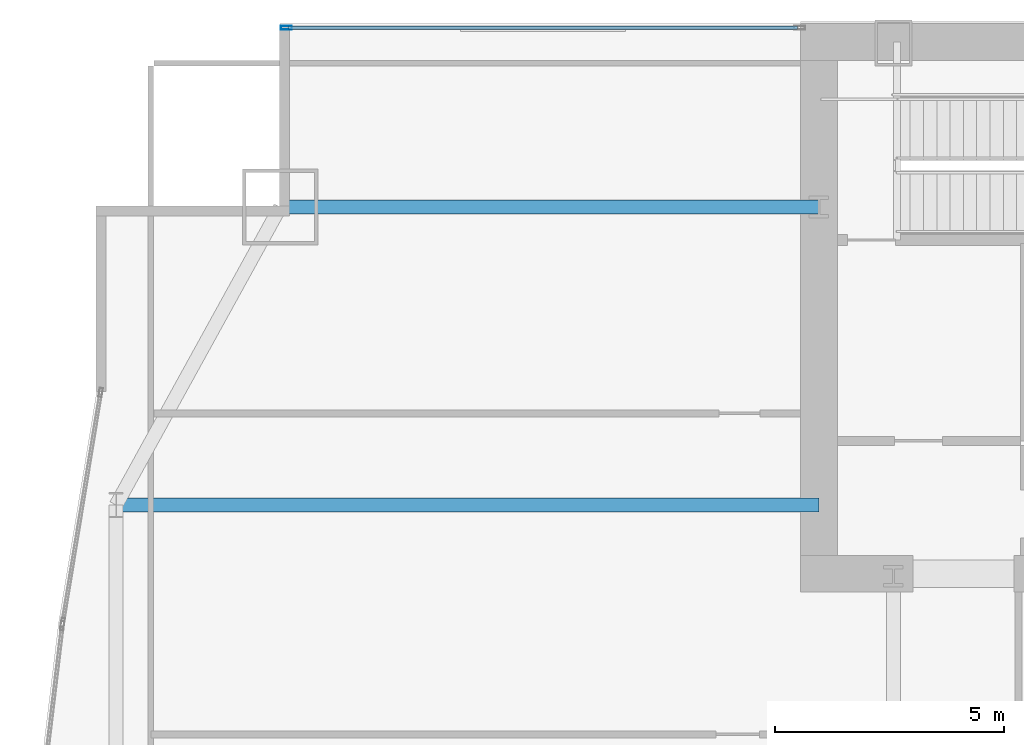
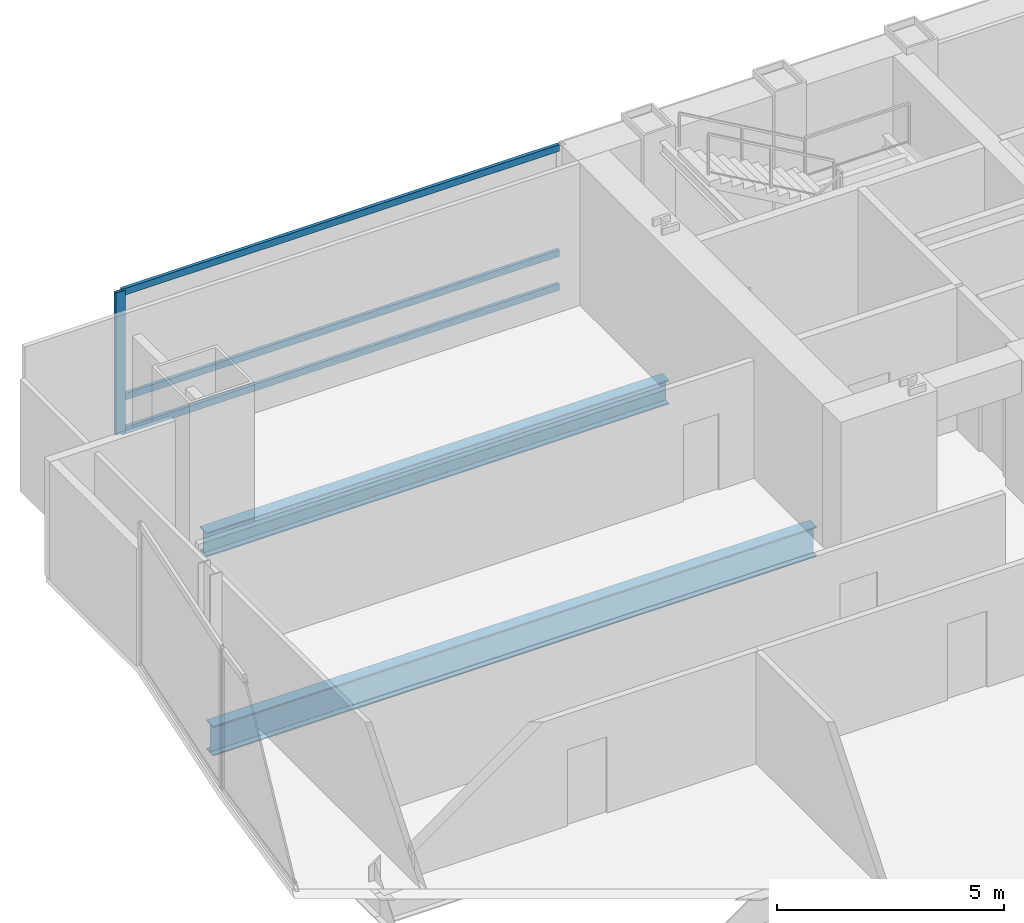
# One storey, part 17 of 32: 4 members, 2 beams, 1 element without a shape of its own.
"""IFC4 building model written with IfcOpenShell, lengths in metres."""

from ifc_helpers import new_model, si_unit, direction, frame, origin, origin_2d, place, context, subcontext, project, spatial, hollow_rectangle, i_section, extrude, material, material_profile, profile_set, type_object, element, aggregate, save


model = new_model("IFC4")

# Units and contexts
model_context = context("Model", 3, precision=1e-05, world=origin(), true_north=direction((0.0, 1.0)))
body_context = subcontext(model_context, "Body", "Model", "MODEL_VIEW")
ifc_project = project(units=[si_unit("LENGTHUNIT", "METRE"), si_unit("AREAUNIT", "SQUARE_METRE"), si_unit("VOLUMEUNIT", "CUBIC_METRE"), si_unit("PLANEANGLEUNIT", "RADIAN"), si_unit("MASSUNIT", "GRAM", prefix="KILO")], contexts=[model_context])

# Site, building, storey
site_placement = place(None, origin())
site = spatial("IfcSite", under=ifc_project, at=site_placement, CompositionType="ELEMENT")
building_placement = place(site_placement, origin())
building = spatial("IfcBuilding", under=site, at=building_placement, Name="Khoronbel Lancet Exchange", CompositionType="ELEMENT")
storey_placement = place(building_placement, frame((0.0, 0.0, 65.800048828125)))
storey = spatial("IfcBuildingStorey", under=building, at=storey_placement, Name="L15", CompositionType="ELEMENT", Elevation=65.800048828125)

# Beams
ifc_material_1 = material(Name="Steel S355", Category="steel")
ifc_material_profile_1 = material_profile(ifc_material_1, i_section(OverallWidth=0.300048828125, OverallDepth=0.800048828125, WebThickness=0.017578125, FlangeThickness=0.032958984375, at=origin_2d()), Name="HEB 800")
ifc_profile_set_1 = profile_set([ifc_material_profile_1], Name="Steel S355")
beam_type_1 = type_object("IfcBeamType", Name="BM-BG2", PredefinedType="BEAM", material=ifc_profile_set_1)
beam_1_placement = place(storey_placement, frame((1.27001953125, 43.199951171875, -0.580078125), z_axis=(1.0, 0.0, 0.0), x_axis=(0.0, 1.0, 0.0)))
element("IfcBeam", 1, at=beam_1_placement, inside=storey, type_object=beam_type_1, Name="Level L15 west lens tie girder LG3W", PredefinedType="BEAM", context=body_context, shape_type="SweptSolid", body=[
    extrude(i_section(OverallWidth=0.300048828125, OverallDepth=0.800048828125, WebThickness=0.017578125, FlangeThickness=0.032958984375, at=origin_2d()), origin(), (0.0, 0.0, 1.0), 15.330078125),
])
ifc_material_profile_2 = material_profile(ifc_material_1, i_section(OverallWidth=0.300048828125, OverallDepth=0.64990234375, WebThickness=0.01611328125, FlangeThickness=0.031005859375, at=origin_2d()), Name="HEB 650")
ifc_profile_set_2 = profile_set([ifc_material_profile_2], Name="Steel S355")
beam_type_2 = type_object("IfcBeamType", Name="BM-BSP1", PredefinedType="SPANDREL", material=ifc_profile_set_2)
beam_2_placement = place(storey_placement, frame((4.85009765625, 49.699951171875, -0.505126953125), z_axis=(1.0, 0.0, 0.0), x_axis=(0.0, 1.0, 0.0)))
element("IfcBeam", 2, at=beam_2_placement, inside=storey, type_object=beam_type_2, Name="Level L15 north flank tie spandrel SP22", PredefinedType="SPANDREL", context=body_context, shape_type="SweptSolid", body=[
    extrude(i_section(OverallWidth=0.300048828125, OverallDepth=0.64990234375, WebThickness=0.01611328125, FlangeThickness=0.031005859375, at=origin_2d()), origin(), (0.0, 0.0, 1.0), 11.75),
])

# Curtain wall, members
ifc_material_2 = material(Name="Low-E Solar Control Insulating Glass", Category="glass")
curtain_wall_type = type_object("IfcCurtainWallType", Name="CW-1", PredefinedType="NOTDEFINED", material=ifc_material_2)
curtain_wall_placement = place(storey_placement, origin())
curtain_wall = element("IfcCurtainWall", 3, at=curtain_wall_placement, inside=storey, type_object=curtain_wall_type, Name="Unitised curtain wall CW-L15-NWFLK", PredefinedType="NOTDEFINED")
ifc_material_3 = material(Name="Bronze-Anodised Aluminium 6063-T6", Category="aluminium")
ifc_material_profile_3 = material_profile(ifc_material_3, hollow_rectangle(XDim=0.0849609375, YDim=0.239990234375, WallThickness=0.006103515625, at=origin_2d()), Name="ALU MULLION 85x240")
ifc_profile_set_3 = profile_set([ifc_material_profile_3], Name="Bronze-Anodised Aluminium 6063-T6")
member_type_1 = type_object("IfcMemberType", Name="MEM-CWM1", PredefinedType="MULLION", material=ifc_profile_set_3)
member_1_placement = place(storey_placement, frame((4.982421875, 53.610107421875, 0.0), z_axis=(0.0, 0.0, 1.0), x_axis=(0.0, -1.0, 0.0)))
member_1 = element("IfcMember", 4, at=member_1_placement, type_object=member_type_1, Name="CW1 mullion 2", PredefinedType="MULLION", context=body_context, shape_type="SweptSolid", body=[
    extrude(hollow_rectangle(XDim=0.0849609375, YDim=0.239990234375, WallThickness=0.006103515625, at=origin_2d()), origin(), (0.0, 0.0, 1.0), 3.820068359375),
])
ifc_material_profile_4 = material_profile(ifc_material_3, hollow_rectangle(XDim=0.0849609375, YDim=0.179931640625, WallThickness=0.0048828125, at=origin_2d()), Name="ALU TRANSOM 85x180")
ifc_profile_set_4 = profile_set([ifc_material_profile_4], Name="Bronze-Anodised Aluminium 6063-T6")
member_type_2 = type_object("IfcMemberType", Name="MEM-CWT1", PredefinedType="USERDEFINED", material=ifc_profile_set_4)
member_2_placement = place(storey_placement, frame((16.135009765625, 53.610107421875, 0.04248046875), z_axis=(-1.0, 0.0, 0.0), x_axis=(0.0, -1.0, 0.0)))
member_2 = element("IfcMember", 5, at=member_2_placement, type_object=member_type_2, Name="CW1 transom 1.1", ObjectType="TRANSOM", PredefinedType="USERDEFINED", context=body_context, shape_type="SweptSolid", body=[
    extrude(hollow_rectangle(XDim=0.0849609375, YDim=0.179931640625, WallThickness=0.0048828125, at=origin_2d()), origin(), (0.0, 0.0, 1.0), 11.110107421875),
])
member_3_placement = place(storey_placement, frame((16.135009765625, 53.610107421875, 0.949951171875), z_axis=(-1.0, 0.0, 0.0), x_axis=(0.0, -1.0, 0.0)))
member_3 = element("IfcMember", 6, at=member_3_placement, type_object=member_type_2, Name="CW1 transom 1.2", ObjectType="TRANSOM", PredefinedType="USERDEFINED", context=body_context, shape_type="SweptSolid", body=[
    extrude(hollow_rectangle(XDim=0.0849609375, YDim=0.179931640625, WallThickness=0.0048828125, at=origin_2d()), origin(), (0.0, 0.0, 1.0), 11.110107421875),
])
member_4_placement = place(storey_placement, frame((16.135009765625, 53.610107421875, 3.77734375), z_axis=(-1.0, 0.0, 0.0), x_axis=(0.0, -1.0, 0.0)))
member_4 = element("IfcMember", 7, at=member_4_placement, type_object=member_type_2, Name="CW1 transom 1.3", ObjectType="TRANSOM", PredefinedType="USERDEFINED", context=body_context, shape_type="SweptSolid", body=[
    extrude(hollow_rectangle(XDim=0.0849609375, YDim=0.179931640625, WallThickness=0.0048828125, at=origin_2d()), origin(), (0.0, 0.0, 1.0), 11.110107421875),
])
aggregate(curtain_wall, [member_1, member_2, member_3, member_4])

save(model, "model.ifc")
